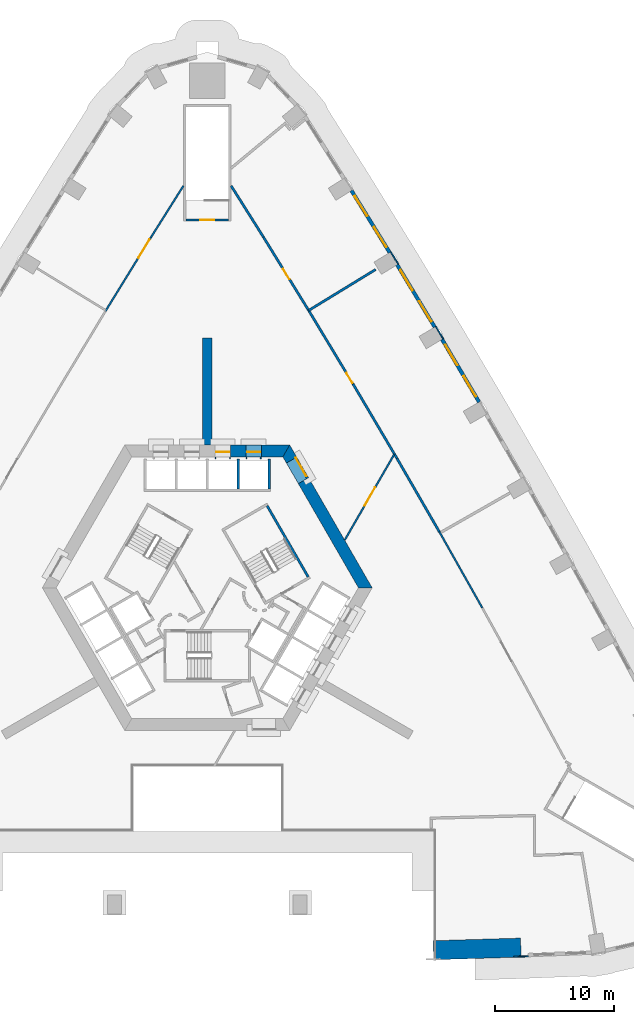
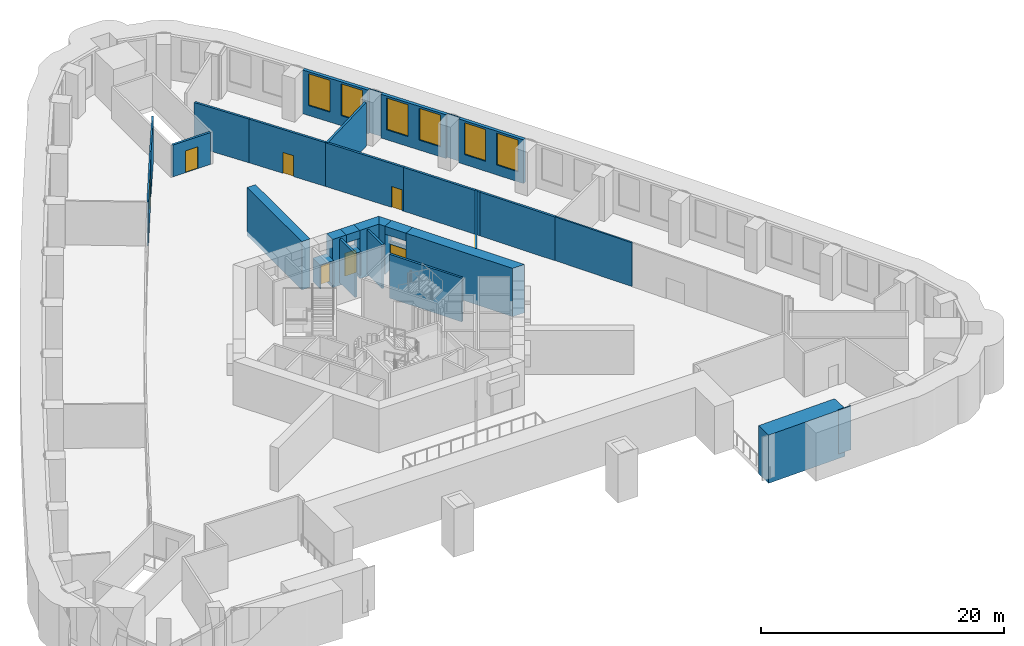
# One storey, part 6 of 15: 31 walls, 8 doors, 6 windows, 14 openings.
"""IFC4 building model written with IfcOpenShell, lengths in metres."""

import ifcopenshell
import ifcopenshell.guid

model = None  # the IFC model being written
_history = None  # IfcOwnerHistory: only IFC2X3 demands one
_inside = {}  # id of a spatial element -> (the spatial element, [elements in it])
_under = {}  # id of a project, library or spatial element -> (it, [spatial elements below it])
_declared = {}  # id of a project -> (the project, [libraries it declares])
_typed = {}  # id of a type object -> (the type object, [elements of that type])
_made_of = {}  # id of a material, layer set ... -> (it, [elements and type objects made of it])


def new_model(schema):
    """Start an empty IFC model of exactly this schema.

    Asked for "IFC4X3", IfcOpenShell would pick the latest addendum, in which some entities
    have other attributes; the version numbers below select the first issue.
    IFC2X3 requires an IfcOwnerHistory on every rooted entity: one is made here for all.
    """
    global model, _history
    if schema == "IFC4X3":
        model = ifcopenshell.file(schema_version=(4, 3, 0, 0))
    else:
        model = ifcopenshell.file(schema=schema)
    _inside.clear()
    _under.clear()
    _declared.clear()
    _typed.clear()
    _made_of.clear()
    _history = None
    if model.schema == "IFC2X3":
        org = make("IfcOrganization", Name="unknown")
        user = make(
            "IfcPersonAndOrganization",
            ThePerson=make("IfcPerson", FamilyName="unknown"),
            TheOrganization=org,
        )
        app = make(
            "IfcApplication",
            ApplicationDeveloper=org,
            Version="unknown",
            ApplicationFullName="unknown",
            ApplicationIdentifier="unknown",
        )
        _history = make(
            "IfcOwnerHistory",
            OwningUser=user,
            OwningApplication=app,
            ChangeAction="ADDED",
            CreationDate=0,
        )
    return model


def make(cls, **values):
    """One entity of the class cls with the attributes given. An attribute that is None is left unset."""
    return model.create_entity(
        cls, **{name: value for name, value in values.items() if value is not None}
    )


def rooted(cls, **values):
    """An entity with a GlobalId (a new one), such as an element, a storey or a relation."""
    return make(cls, GlobalId=ifcopenshell.guid.new(), OwnerHistory=_history, **values)


def si_unit(unit_type, name, prefix=None):
    """IfcSIUnit, for example si_unit("LENGTHUNIT", "METRE", prefix="MILLI")."""
    return make("IfcSIUnit", UnitType=unit_type, Prefix=prefix, Name=name)


def assignment(units):
    """IfcUnitAssignment: the units of a project."""
    return None if units is None else make("IfcUnitAssignment", Units=units)


def point(xyz):
    """IfcCartesianPoint."""
    return None if xyz is None else make("IfcCartesianPoint", Coordinates=xyz)


def direction(xyz):
    """IfcDirection."""
    return None if xyz is None else make("IfcDirection", DirectionRatios=xyz)


def frame(location, z_axis=None, x_axis=None):
    """IfcAxis2Placement3D, a coordinate frame: its origin and axes. An axis left out is left unset."""
    return make(
        "IfcAxis2Placement3D",
        Location=point(location),
        Axis=direction(z_axis),
        RefDirection=direction(x_axis),
    )


def frame_2d(location, x_axis=None):
    """IfcAxis2Placement2D, a coordinate frame in the plane: its origin and x axis."""
    return make(
        "IfcAxis2Placement2D", Location=point(location), RefDirection=direction(x_axis)
    )


def origin():
    """The frame at (0, 0, 0) with its axes left unset."""
    return frame((0.0, 0.0, 0.0))


def place(relative_to, where):
    """IfcLocalPlacement: puts the frame where relative to a parent placement (None: the world)."""
    return make(
        "IfcLocalPlacement", PlacementRelTo=relative_to, RelativePlacement=where
    )


def context(
    kind, dimensions, precision=None, world=None, true_north=None, identifier=None
):
    """IfcGeometricRepresentationContext, for example the 3D "Model" context."""
    return make(
        "IfcGeometricRepresentationContext",
        ContextIdentifier=identifier,
        ContextType=kind,
        CoordinateSpaceDimension=dimensions,
        Precision=precision,
        WorldCoordinateSystem=world,
        TrueNorth=true_north,
    )


def subcontext(parent, identifier, kind, view, scale=None):
    """IfcGeometricRepresentationSubContext, for example "Body" below "Model"."""
    return make(
        "IfcGeometricRepresentationSubContext",
        ContextIdentifier=identifier,
        ContextType=kind,
        ParentContext=parent,
        TargetScale=scale,
        TargetView=view,
    )


def project(units=None, contexts=None):
    """IfcProject with its units and contexts."""
    return rooted(
        "IfcProject",
        Name="project",
        RepresentationContexts=contexts,
        UnitsInContext=assignment(units),
    )


def spatial(cls, under=None, at=None, **own):
    """A site, building, storey or space (cls), placed at a placement, below another one or the project."""
    s = rooted(cls, ObjectPlacement=at, **own)
    if under is not None:
        _under.setdefault(under.id(), (under, []))[1].append(s)
    return s


def polyline(points):
    """IfcPolyline through the points."""
    return make("IfcPolyline", Points=[point(p) for p in points])


def profile(cls, at=None, kind="AREA", **sizes):
    """A parametric profile (cls). Its sizes go by their IFC names, for example OverallWidth=200.0."""
    return make(cls, ProfileType=kind, Position=at, **sizes)


def rectangle(**sizes):
    """IfcRectangleProfileDef."""
    return profile("IfcRectangleProfileDef", **sizes)


def outline(outer, holes=None, kind="AREA"):
    """IfcArbitraryClosedProfileDef: a profile drawn as a closed curve; with holes, ...WithVoids."""
    if holes is None:
        return make("IfcArbitraryClosedProfileDef", ProfileType=kind, OuterCurve=outer)
    return make(
        "IfcArbitraryProfileDefWithVoids",
        ProfileType=kind,
        OuterCurve=outer,
        InnerCurves=holes,
    )


def extrude(swept, where, along, depth):
    """IfcExtrudedAreaSolid: the profile swept, set in the frame where, extruded along a direction by depth."""
    return make(
        "IfcExtrudedAreaSolid",
        SweptArea=swept,
        Position=where,
        ExtrudedDirection=direction(along),
        Depth=depth,
    )


def shape(context_of_items, identifier, shape_type, items):
    """IfcShapeRepresentation: the items that make up one representation, for example the "Body"."""
    return make(
        "IfcShapeRepresentation",
        ContextOfItems=context_of_items,
        RepresentationIdentifier=identifier,
        RepresentationType=shape_type,
        Items=items,
    )


def material(Name=None, Category=None):
    """IfcMaterial."""
    return make("IfcMaterial", Name=Name, Category=Category)


def layer(
    of_material, thickness, ventilated=None, Name=None, Category=None, Priority=None
):
    """IfcMaterialLayer: one layer of a wall or slab, of a material (None: an air gap)."""
    return make(
        "IfcMaterialLayer",
        Material=of_material,
        LayerThickness=thickness,
        IsVentilated=ventilated,
        Name=Name,
        Category=Category,
        Priority=Priority,
    )


def layer_set(layers, Name=None):
    """IfcMaterialLayerSet."""
    return make("IfcMaterialLayerSet", MaterialLayers=layers, LayerSetName=Name)


def made_of(thing, what):
    """Note that an element or type object is made of a material, layer set ...; save() writes the relation."""
    if what is not None:
        _made_of.setdefault(what.id(), (what, []))[1].append(thing)
    return thing


def type_object(cls, material=None, **own):
    """A type object (cls), such as IfcWallType, which elements share."""
    return made_of(rooted(cls, **own), material)


def element(
    cls,
    number,
    at=None,
    inside=None,
    cuts=None,
    type_object=None,
    material=None,
    context=None,
    identifier="Body",
    shape_type=None,
    held_by="IfcProductDefinitionShape",
    body=None,
    shapes=None,
    **own,
):
    """One element of the class cls, such as IfcWall. Its Tag is "e" and its number.

    at: its placement. inside: the storey or other place that contains it. cuts: it is an
    opening in that element (IfcRelVoidsElement). A single representation is given by context,
    identifier, shape_type and body (its items); several are given by shapes. held_by: the class
    of the entity that holds the representations. save() writes the other relations.
    """
    e = rooted(cls, Tag="e%d" % number, ObjectPlacement=at, **own)
    if body is not None:
        shapes = [shape(context, identifier, shape_type, body)]
    if shapes is not None:
        e.Representation = make(held_by, Representations=shapes)
    if inside is not None:
        _inside.setdefault(inside.id(), (inside, []))[1].append(e)
    if cuts is not None:
        rooted(
            "IfcRelVoidsElement", RelatingBuildingElement=cuts, RelatedOpeningElement=e
        )
    if type_object is not None:
        _typed.setdefault(type_object.id(), (type_object, []))[1].append(e)
    return made_of(e, material)


def fill(opening, filler):
    """IfcRelFillsElement: the door or window that sits in an opening."""
    return rooted(
        "IfcRelFillsElement",
        RelatingOpeningElement=opening,
        RelatedBuildingElement=filler,
    )


def aggregate(whole, parts):
    """IfcRelAggregates: a whole, such as a stair, and the parts it consists of."""
    return rooted("IfcRelAggregates", RelatingObject=whole, RelatedObjects=parts)


def save(model, path):
    """Write the relations noted so far, then the file.

    IfcRelAggregates (storeys below a building ...), IfcRelContainedInSpatialStructure (elements
    in a storey), IfcRelDefinesByType, IfcRelAssociatesMaterial and IfcRelDeclares: one each for
    every whole, place, type object, material and project.
    """
    for whole, parts in _under.values():
        aggregate(whole, parts)
    for where, things in _inside.values():
        rooted(
            "IfcRelContainedInSpatialStructure",
            RelatedElements=things,
            RelatingStructure=where,
        )
    for kind, things in _typed.values():
        rooted("IfcRelDefinesByType", RelatedObjects=things, RelatingType=kind)
    for what, things in _made_of.values():
        rooted("IfcRelAssociatesMaterial", RelatedObjects=things, RelatingMaterial=what)
    for by, libraries in _declared.values():
        rooted("IfcRelDeclares", RelatingContext=by, RelatedDefinitions=libraries)
    model.write(path)


model = new_model("IFC4")

# Units and contexts
model_context = context("Model", 3, precision=1e-05, world=origin(), true_north=direction((0.0, 1.0)))
body_context = subcontext(model_context, "Body", "Model", "MODEL_VIEW")
ifc_project = project(units=[si_unit("LENGTHUNIT", "METRE"), si_unit("AREAUNIT", "SQUARE_METRE"), si_unit("VOLUMEUNIT", "CUBIC_METRE"), si_unit("PLANEANGLEUNIT", "RADIAN"), si_unit("MASSUNIT", "GRAM", prefix="KILO")], contexts=[model_context])

# Site, building, storey
site_placement = place(None, origin())
site = spatial("IfcSite", under=ifc_project, at=site_placement, CompositionType="ELEMENT")
building_placement = place(site_placement, origin())
building = spatial("IfcBuilding", under=site, at=building_placement, Name="Entoto Arch Interchange Tower", CompositionType="ELEMENT")
storey_placement = place(building_placement, frame((0.0, 0.0, 30.0)))
storey = spatial("IfcBuildingStorey", under=building, at=storey_placement, Name="L05", CompositionType="ELEMENT", Elevation=30.0)

# Walls
ifc_material_1 = material(Name="Concrete C60/75", Category="concrete")
ifc_layer_1 = layer(ifc_material_1, 1.60009765625)
ifc_layer_set_1 = layer_set([ifc_layer_1], Name="Concrete C60/75")
wall_type_1 = type_object("IfcWallType", Name="Arch leg wall 1600 C60/75", PredefinedType="SHEAR", material=ifc_layer_set_1)
wall_1_placement = place(storey_placement, frame((0.0, 0.0, -0.449951171875)))
element("IfcWall", 1, at=wall_1_placement, inside=storey, type_object=wall_type_1, Name="Arch leg E L05", PredefinedType="SHEAR", context=body_context, shape_type="SweptSolid", body=[
    extrude(outline(polyline([(19.0, -28.761962890625), (26.376953125, -28.5400390625), (26.321044921875, -26.94091796875), (18.97607421875, -27.162109375), (19.0, -28.761962890625)])), origin(), (0.0, 0.0, 1.0), 4.849853515625),
])
ifc_layer_2 = layer(ifc_material_1, 0.800048828125)
ifc_layer_set_2 = layer_set([ifc_layer_2], Name="Concrete C60/75")
wall_type_2 = type_object("IfcWallType", Name="Buttress wall 800 C60/75", PredefinedType="SHEAR", material=ifc_layer_set_2)
wall_2_placement = place(storey_placement, frame((0.0, 14.5, -0.449951171875), z_axis=(0.0, 0.0, 1.0), x_axis=(0.0, 1.0, 0.0)))
element("IfcWall", 2, at=wall_2_placement, inside=storey, type_object=wall_type_2, Name="Buttress wall N L05", PredefinedType="SHEAR", context=body_context, shape_type="SweptSolid", body=[
    extrude(rectangle(XDim=9.0, YDim=0.800048828125, at=frame_2d((4.5, 0.0))), origin(), (0.0, 0.0, 1.0), 4.849853515625),
])

# Wall, opening, door
ifc_material_2 = material(Name="Reinforced concrete C40/50", Category="concrete")
ifc_layer_3 = layer(ifc_material_2, 0.199951171875)
ifc_layer_set_3 = layer_set([ifc_layer_3], Name="Reinforced concrete C40/50")
wall_type_3 = type_object("IfcWallType", Name="CORE GAP INFILL WALL", PredefinedType="PARTITIONING", material=ifc_layer_set_3)
wall_3_placement = place(storey_placement, frame((8.429931640625, 11.697998046875, 0.0), z_axis=(0.0, 0.0, 1.0), x_axis=(-0.50002537861, 0.866010750942, 0.0)))
wall_3 = element("IfcWall", 3, at=wall_3_placement, inside=storey, type_object=wall_type_3, Name="wall:L05:gap2", PredefinedType="PARTITIONING", context=body_context, shape_type="SweptSolid", body=[
    extrude(rectangle(XDim=2.0, YDim=0.199951171875, at=frame_2d((1.0, 0.0))), origin(), (0.0, 0.0, 1.0), 2.39990234375),
])
opening_1_placement = place(wall_3_placement, frame((0.18994140625, 0.0, 0.0)))
opening_1 = element("IfcOpeningElement", 4, at=opening_1_placement, cuts=wall_3, Name="Opening L05-D92", PredefinedType="OPENING", context=body_context, shape_type="SweptSolid", body=[
    extrude(rectangle(XDim=1.800048828125, YDim=2.10009765625, at=frame_2d((0.89990234375, 1.050048828125))), frame((0.0, 0.10986328125, 0.0), z_axis=(0.0, -1.0, 0.0), x_axis=(1.0, 0.0, 0.0)), (0.0, 0.0, 1.0), 0.219970703125),
])
ifc_material_3 = material(Name="Fire-rated Steel S235 door and frame", Category="steel")
door_type_1 = type_object("IfcDoorType", Name="DOOR FD-18 1800x2100", OperationType="DOUBLE_DOOR_SINGLE_SWING", PredefinedType="DOOR", material=ifc_material_3)
door_1_placement = place(opening_1_placement, origin())
door_1 = element("IfcDoor", 5, at=door_1_placement, inside=storey, type_object=door_type_1, Name="door:L05:gap2", OperationType="DOUBLE_DOOR_SINGLE_SWING", OverallHeight=2.10009765625, OverallWidth=1.800048828125, PredefinedType="DOOR", context=body_context, shape_type="SweptSolid", body=[
    extrude(rectangle(XDim=1.800048828125, YDim=2.10009765625, at=frame_2d((0.89990234375, 1.050048828125))), frame((0.0, 0.02490234375, 0.0), z_axis=(0.0, -1.0, 0.0), x_axis=(1.0, 0.0, 0.0)), (0.0, 0.0, 1.0), 0.050048828125),
])
fill(opening_1, door_1)

# Walls
ifc_layer_4 = layer(ifc_material_1, 1.0)
ifc_layer_set_4 = layer_set([ifc_layer_4], Name="Concrete C60/75")
wall_type_4 = type_object("IfcWallType", Name="Core wall 1000 C60/75", PredefinedType="SHEAR", material=ifc_layer_set_4)
wall_4_placement = place(storey_placement, frame((0.0, 0.0, -0.449951171875)))
element("IfcWall", 6, at=wall_4_placement, inside=storey, type_object=wall_type_4, Name="Core wall NE L05", PredefinedType="SHEAR", context=body_context, shape_type="SweptSolid", body=[
    extrude(outline(polyline([(8.51708984375, 11.748046875), (7.65087890625, 11.248046875), (12.701904296875, 2.5), (13.85595703125, 2.5), (8.51708984375, 11.748046875)])), origin(), (0.0, 0.0, 1.0), 4.849853515625),
])
wall_5_placement = place(storey_placement, frame((0.0, 0.0, -0.449951171875)))
element("IfcWall", 7, at=wall_5_placement, inside=storey, type_object=wall_type_4, Name="Core wall NE L05", PredefinedType="SHEAR", context=body_context, shape_type="SweptSolid", body=[
    extrude(outline(polyline([(6.65087890625, 12.97998046875), (7.51708984375, 13.47998046875), (6.927978515625, 14.5), (6.35107421875, 13.5), (6.65087890625, 12.97998046875)])), origin(), (0.0, 0.0, 1.0), 4.849853515625),
])
wall_6_placement = place(storey_placement, frame((0.0, 0.0, 3.60009765625)))
element("IfcWall", 8, at=wall_6_placement, inside=storey, type_object=wall_type_4, Name="Core wall lintel NE L05", PredefinedType="SHEAR", context=body_context, shape_type="SweptSolid", body=[
    extrude(outline(polyline([(7.51708984375, 13.47998046875), (6.65087890625, 12.97998046875), (7.65087890625, 11.248046875), (8.51708984375, 11.748046875), (7.51708984375, 13.47998046875)])), origin(), (0.0, 0.0, 1.0), 0.7998046875),
])
wall_7_placement = place(storey_placement, frame((0.0, 0.0, -0.449951171875)))
element("IfcWall", 9, at=wall_7_placement, inside=storey, type_object=wall_type_4, Name="Core wall N L05", PredefinedType="SHEAR", context=body_context, shape_type="SweptSolid", body=[
    extrude(outline(polyline([(4.550048828125, 14.5), (4.550048828125, 13.5), (6.35107421875, 13.5), (6.927978515625, 14.5), (4.550048828125, 14.5)])), origin(), (0.0, 0.0, 1.0), 4.849853515625),
])
wall_8_placement = place(storey_placement, frame((0.0, 0.0, -0.449951171875)))
element("IfcWall", 10, at=wall_8_placement, inside=storey, type_object=wall_type_4, Name="Core wall N L05", PredefinedType="SHEAR", context=body_context, shape_type="SweptSolid", body=[
    extrude(outline(polyline([(1.949951171875, 14.5), (1.949951171875, 13.5), (3.25, 13.5), (3.25, 14.5), (1.949951171875, 14.5)])), origin(), (0.0, 0.0, 1.0), 4.849853515625),
])
wall_9_placement = place(storey_placement, frame((0.0, 0.0, 3.60009765625)))
element("IfcWall", 11, at=wall_9_placement, inside=storey, type_object=wall_type_4, Name="Core wall lintel N L05", PredefinedType="SHEAR", context=body_context, shape_type="SweptSolid", body=[
    extrude(outline(polyline([(3.25, 14.5), (3.25, 13.5), (4.550048828125, 13.5), (4.550048828125, 14.5), (3.25, 14.5)])), origin(), (0.0, 0.0, 1.0), 0.7998046875),
])

# Wall, opening, door
ifc_material_4 = material(Name="Concrete C40/50", Category="concrete")
ifc_layer_5 = layer(ifc_material_4, 1.199951171875)
ifc_layer_set_5 = layer_set([ifc_layer_5], Name="Concrete C40/50")
wall_type_5 = type_object("IfcWallType", Name="LIFT LANDING INFILL WALL", PredefinedType="STANDARD", material=ifc_layer_set_5)
wall_10_placement = place(storey_placement, frame((4.550048828125, 13.89990234375, 0.0), z_axis=(0.0, 0.0, 1.0), x_axis=(-1.0, 0.0, 0.0)))
wall_10 = element("IfcWall", 12, at=wall_10_placement, inside=storey, type_object=wall_type_5, Name="Lift landing infill wall LR1 L05", PredefinedType="STANDARD", context=body_context, shape_type="SweptSolid", body=[
    extrude(rectangle(XDim=1.300048828125, YDim=1.199951171875, at=frame_2d((0.64990234375, 0.0))), origin(), (0.0, 0.0, 1.0), 2.39990234375),
])
opening_2_placement = place(wall_10_placement, frame((0.10009765625, 0.0, 0.0)))
opening_2 = element("IfcOpeningElement", 13, at=opening_2_placement, cuts=wall_10, Name="Opening LD-LR1-L05", PredefinedType="OPENING", context=body_context, shape_type="SweptSolid", body=[
    extrude(rectangle(XDim=1.10009765625, YDim=2.300048828125, at=frame_2d((0.550048828125, 1.14990234375))), frame((0.0, 0.60986328125, 0.0), z_axis=(0.0, -1.0, 0.0), x_axis=(1.0, 0.0, 0.0)), (0.0, 0.0, 1.0), 1.219970703125),
])
ifc_material_5 = material(Name="Stainless steel 1.4301 panels", Category="steel")
door_type_2 = type_object("IfcDoorType", Name="LIFT LANDING DOOR LD2 1100x2300", OperationType="SLIDING_TO_LEFT", PredefinedType="DOOR", material=ifc_material_5)
door_2_placement = place(opening_2_placement, origin())
door_2 = element("IfcDoor", 14, at=door_2_placement, inside=storey, type_object=door_type_2, Name="Lift landing door LR1 L05", OperationType="SLIDING_TO_LEFT", OverallHeight=2.300048828125, OverallWidth=1.10009765625, PredefinedType="DOOR", context=body_context, shape_type="SweptSolid", body=[
    extrude(rectangle(XDim=1.10009765625, YDim=2.300048828125, at=frame_2d((0.550048828125, 1.14990234375))), frame((0.0, 0.02490234375, 0.0), z_axis=(0.0, -1.0, 0.0), x_axis=(1.0, 0.0, 0.0)), (0.0, 0.0, 1.0), 0.050048828125),
])
fill(opening_2, door_2)

wall_11_placement = place(storey_placement, frame((1.949951171875, 13.89990234375, 0.0), z_axis=(0.0, 0.0, 1.0), x_axis=(-1.0, 0.0, 0.0)))
wall_11 = element("IfcWall", 15, at=wall_11_placement, inside=storey, type_object=wall_type_5, Name="Lift landing infill wall LR2 L05", PredefinedType="STANDARD", context=body_context, shape_type="SweptSolid", body=[
    extrude(rectangle(XDim=1.300048828125, YDim=1.199951171875, at=frame_2d((0.64990234375, 0.0))), origin(), (0.0, 0.0, 1.0), 2.39990234375),
])
opening_3_placement = place(wall_11_placement, frame((0.10009765625, 0.0, 0.0)))
opening_3 = element("IfcOpeningElement", 16, at=opening_3_placement, cuts=wall_11, Name="Opening LD-LR2-L05", PredefinedType="OPENING", context=body_context, shape_type="SweptSolid", body=[
    extrude(rectangle(XDim=1.10009765625, YDim=2.300048828125, at=frame_2d((0.550048828125, 1.14990234375))), frame((0.0, 0.60986328125, 0.0), z_axis=(0.0, -1.0, 0.0), x_axis=(1.0, 0.0, 0.0)), (0.0, 0.0, 1.0), 1.219970703125),
])
door_3_placement = place(opening_3_placement, origin())
door_3 = element("IfcDoor", 17, at=door_3_placement, inside=storey, type_object=door_type_2, Name="Lift landing door LR2 L05", OperationType="SLIDING_TO_LEFT", OverallHeight=2.300048828125, OverallWidth=1.10009765625, PredefinedType="DOOR", context=body_context, shape_type="SweptSolid", body=[
    extrude(rectangle(XDim=1.10009765625, YDim=2.300048828125, at=frame_2d((0.550048828125, 1.14990234375))), frame((0.0, 0.02490234375, 0.0), z_axis=(0.0, -1.0, 0.0), x_axis=(1.0, 0.0, 0.0)), (0.0, 0.0, 1.0), 0.050048828125),
])
fill(opening_3, door_3)

# Walls
ifc_layer_6 = layer(ifc_material_4, 0.199951171875)
ifc_layer_set_6 = layer_set([ifc_layer_6], Name="Concrete C40/50")
wall_type_6 = type_object("IfcWallType", Name="LIFT SHAFT WALL 200", PredefinedType="STANDARD", material=ifc_layer_set_6)
for number, where, z_axis, x_axis, name in (
    (18, (5.199951171875, 10.800048828125, 0.0), (0.0, 0.0, 1.0), (0.0, 1.0, 0.0), "Shaft wall N3 cross 1"),
    (19, (2.60009765625, 10.800048828125, 0.0), (0.0, 0.0, 1.0), (0.0, 1.0, 0.0), "Shaft wall N3 cross 2"),
):
    element("IfcWall", number, at=place(storey_placement, frame(where, z_axis=z_axis, x_axis=x_axis)), inside=storey, type_object=wall_type_6, Name=name, PredefinedType="STANDARD", context=body_context, shape_type="SweptSolid", body=[
        extrude(rectangle(XDim=2.5, YDim=0.199951171875, at=frame_2d((1.25, 0.0))), origin(), (0.0, 0.0, 1.0), 4.39990234375),
    ])
ifc_material_6 = material(Name="Gypsum board partition on steel studs", Category="steel")
ifc_layer_7 = layer(ifc_material_6, 0.14990234375)
ifc_layer_set_7 = layer_set([ifc_layer_7], Name="Gypsum board partition on steel studs")
wall_type_7 = type_object("IfcWallType", Name="PARTITION 150", PredefinedType="PARTITIONING", material=ifc_layer_set_7)
wall_12_placement = place(storey_placement, frame((23.114013671875, 0.806884765625, 0.0), z_axis=(0.0, 0.0, 1.0), x_axis=(-0.491539851918, 0.870855082075, 0.0)))
element("IfcWall", 20, at=wall_12_placement, inside=storey, type_object=wall_type_7, Name="wall:L05:p048", PredefinedType="PARTITIONING", context=body_context, shape_type="SweptSolid", body=[
    extrude(rectangle(XDim=7.340087890625, YDim=0.14990234375, at=frame_2d((3.669921875, 0.0))), origin(), (0.0, 0.0, 1.0), 4.39990234375),
])
wall_13_placement = place(storey_placement, frame((-2.0, 36.282958984375, 0.0), z_axis=(0.0, 0.0, 1.0), x_axis=(-0.533277069601, -0.845940640375, 0.0)))
element("IfcWall", 21, at=wall_13_placement, inside=storey, type_object=wall_type_7, Name="wall:L05:p059", PredefinedType="PARTITIONING", context=body_context, shape_type="SweptSolid", body=[
    extrude(rectangle(XDim=5.094970703125, YDim=0.14990234375, at=frame_2d((2.54736328125, 0.0))), origin(), (0.0, 0.0, 1.0), 4.39990234375),
])

# Wall, opening, door
wall_14_placement = place(storey_placement, frame((-4.717041015625, 31.972900390625, 0.0), z_axis=(0.0, 0.0, 1.0), x_axis=(-0.524752860455, -0.85125462433, 0.0)))
wall_14 = element("IfcWall", 22, at=wall_14_placement, inside=storey, type_object=wall_type_7, Name="wall:L05:p060", PredefinedType="PARTITIONING", context=body_context, shape_type="SweptSolid", body=[
    extrude(rectangle(XDim=7.313720703125, YDim=0.14990234375, at=frame_2d((3.65673828125, 0.0))), origin(), (0.0, 0.0, 1.0), 4.39990234375),
])
opening_4_placement = place(wall_14_placement, frame((0.2548828125, 0.0, 0.0)))
opening_4 = element("IfcOpeningElement", 23, at=opening_4_placement, cuts=wall_14, Name="Opening L05-D07", PredefinedType="OPENING", context=body_context, shape_type="SweptSolid", body=[
    extrude(rectangle(XDim=1.800048828125, YDim=2.10009765625, at=frame_2d((0.89990234375, 1.050048828125))), frame((0.0, 0.0849609375, 0.0), z_axis=(0.0, -1.0, 0.0), x_axis=(1.0, 0.0, 0.0)), (0.0, 0.0, 1.0), 0.169921875),
])
ifc_material_7 = material(Name="Timber door leaf in Steel S235 frame", Category="steel")
door_type_3 = type_object("IfcDoorType", Name="DOOR DD-18 1800x2100", OperationType="DOUBLE_DOOR_SINGLE_SWING", PredefinedType="DOOR", material=ifc_material_7)
door_4_placement = place(opening_4_placement, origin())
door_4 = element("IfcDoor", 24, at=door_4_placement, inside=storey, type_object=door_type_3, Name="door:L05:07", OperationType="DOUBLE_DOOR_SINGLE_SWING", OverallHeight=2.10009765625, OverallWidth=1.800048828125, PredefinedType="DOOR", context=body_context, shape_type="SweptSolid", body=[
    extrude(rectangle(XDim=1.800048828125, YDim=2.10009765625, at=frame_2d((0.89990234375, 1.050048828125))), frame((0.0, 0.02490234375, 0.0), z_axis=(0.0, -1.0, 0.0), x_axis=(1.0, 0.0, 0.0)), (0.0, 0.0, 1.0), 0.050048828125),
])
fill(opening_4, door_4)

wall_15_placement = place(storey_placement, frame((11.547119140625, 6.5, 0.0), z_axis=(0.0, 0.0, 1.0), x_axis=(0.500020059357, 0.866013822199, 0.0)))
wall_15 = element("IfcWall", 25, at=wall_15_placement, inside=storey, type_object=wall_type_7, Name="wall:L05:p072", PredefinedType="PARTITIONING", context=body_context, shape_type="SweptSolid", body=[
    extrude(rectangle(XDim=8.355712890625, YDim=0.14990234375, at=frame_2d((4.177734375, 0.0))), origin(), (0.0, 0.0, 1.0), 4.39990234375),
])
opening_5_placement = place(wall_15_placement, frame((3.330078125, 0.0, 0.0)))
opening_5 = element("IfcOpeningElement", 26, at=opening_5_placement, cuts=wall_15, Name="Opening L05-D01", PredefinedType="OPENING", context=body_context, shape_type="SweptSolid", body=[
    extrude(rectangle(XDim=1.800048828125, YDim=2.10009765625, at=frame_2d((0.89990234375, 1.050048828125))), frame((0.0, 0.0849609375, 0.0), z_axis=(0.0, -1.0, 0.0), x_axis=(1.0, 0.0, 0.0)), (0.0, 0.0, 1.0), 0.169921875),
])
door_5_placement = place(opening_5_placement, origin())
door_5 = element("IfcDoor", 27, at=door_5_placement, inside=storey, type_object=door_type_1, Name="door:L05:01", OperationType="DOUBLE_DOOR_SINGLE_SWING", OverallHeight=2.10009765625, OverallWidth=1.800048828125, PredefinedType="DOOR", context=body_context, shape_type="SweptSolid", body=[
    extrude(rectangle(XDim=1.800048828125, YDim=2.10009765625, at=frame_2d((0.89990234375, 1.050048828125))), frame((0.0, 0.02490234375, 0.0), z_axis=(0.0, -1.0, 0.0), x_axis=(1.0, 0.0, 0.0)), (0.0, 0.0, 1.0), 0.050048828125),
])
fill(opening_5, door_5)

# Walls
ifc_layer_8 = layer(ifc_material_6, 0.199951171875)
ifc_layer_set_8 = layer_set([ifc_layer_8], Name="Gypsum board partition on steel studs")
wall_type_8 = type_object("IfcWallType", Name="PARTITION 200", PredefinedType="PARTITIONING", material=ifc_layer_set_8)
wall_16_placement = place(storey_placement, frame((8.52001953125, 25.803955078125, 0.0), z_axis=(0.0, 0.0, 1.0), x_axis=(0.853194970622, 0.521592122358, 0.0)))
element("IfcWall", 28, at=wall_16_placement, inside=storey, type_object=wall_type_8, Name="wall:L05:p049", PredefinedType="PARTITIONING", context=body_context, shape_type="SweptSolid", body=[
    extrude(rectangle(XDim=6.60107421875, YDim=0.199951171875, at=frame_2d((3.300537109375, 0.0))), origin(), (0.0, 0.0, 1.0), 4.39990234375),
])
wall_17_placement = place(storey_placement, frame((19.5048828125, 7.197998046875, 0.0), z_axis=(0.0, 0.0, 1.0), x_axis=(-0.500031381659, 0.866007284817, 0.0)))
element("IfcWall", 29, at=wall_17_placement, inside=storey, type_object=wall_type_8, Name="wall:L05:p050", PredefinedType="PARTITIONING", context=body_context, shape_type="SweptSolid", body=[
    extrude(rectangle(XDim=7.13720703125, YDim=0.199951171875, at=frame_2d((3.568603515625, 0.0))), origin(), (0.0, 0.0, 1.0), 4.39990234375),
])
wall_18_placement = place(storey_placement, frame((15.93603515625, 13.37890625, 0.0), z_axis=(0.0, 0.0, 1.0), x_axis=(-0.508273674393, 0.861195606073, 0.0)))
element("IfcWall", 30, at=wall_18_placement, inside=storey, type_object=wall_type_8, Name="wall:L05:p051", PredefinedType="PARTITIONING", context=body_context, shape_type="SweptSolid", body=[
    extrude(rectangle(XDim=7.239990234375, YDim=0.199951171875, at=frame_2d((3.6201171875, 0.0))), origin(), (0.0, 0.0, 1.0), 4.39990234375),
])

# Wall, opening, door
wall_19_placement = place(storey_placement, frame((12.256103515625, 19.614013671875, 0.0), z_axis=(0.0, 0.0, 1.0), x_axis=(-0.516756729015, 0.856132281261, 0.0)))
wall_19 = element("IfcWall", 31, at=wall_19_placement, inside=storey, type_object=wall_type_8, Name="wall:L05:p052", PredefinedType="PARTITIONING", context=body_context, shape_type="SweptSolid", body=[
    extrude(rectangle(XDim=7.33056640625, YDim=0.199951171875, at=frame_2d((3.665283203125, 0.0))), origin(), (0.0, 0.0, 1.0), 4.39990234375),
])
opening_6_placement = place(wall_19_placement, frame((0.10009765625, 0.0, 0.0)))
opening_6 = element("IfcOpeningElement", 32, at=opening_6_placement, cuts=wall_19, Name="Opening L05-D05", PredefinedType="OPENING", context=body_context, shape_type="SweptSolid", body=[
    extrude(rectangle(XDim=1.0, YDim=2.10009765625, at=frame_2d((0.5, 1.050048828125))), frame((0.0, 0.10986328125, 0.0), z_axis=(0.0, -1.0, 0.0), x_axis=(1.0, 0.0, 0.0)), (0.0, 0.0, 1.0), 0.219970703125),
])
door_type_4 = type_object("IfcDoorType", Name="DOOR FD-10 1000x2100", OperationType="SINGLE_SWING_LEFT", PredefinedType="DOOR", material=ifc_material_3)
door_6_placement = place(opening_6_placement, origin())
door_6 = element("IfcDoor", 33, at=door_6_placement, inside=storey, type_object=door_type_4, Name="door:L05:05", OperationType="SINGLE_SWING_RIGHT", OverallHeight=2.10009765625, OverallWidth=1.0, PredefinedType="DOOR", context=body_context, shape_type="SweptSolid", body=[
    extrude(rectangle(XDim=1.0, YDim=2.10009765625, at=frame_2d((0.5, 1.050048828125))), frame((0.0, 0.02490234375, 0.0), z_axis=(0.0, -1.0, 0.0), x_axis=(1.0, 0.0, 0.0)), (0.0, 0.0, 1.0), 0.050048828125),
])
fill(opening_6, door_6)

# Wall
wall_20_placement = place(storey_placement, frame((4.717041015625, 31.972900390625, 0.0), z_axis=(0.0, 0.0, 1.0), x_axis=(-0.533277069601, 0.845940640375, 0.0)))
element("IfcWall", 34, at=wall_20_placement, inside=storey, type_object=wall_type_8, Name="wall:L05:p056", PredefinedType="PARTITIONING", context=body_context, shape_type="SweptSolid", body=[
    extrude(rectangle(XDim=5.094970703125, YDim=0.199951171875, at=frame_2d((2.54736328125, 0.0))), origin(), (0.0, 0.0, 1.0), 4.39990234375),
])

# Wall, opening, door
wall_21_placement = place(storey_placement, frame((8.467041015625, 25.889892578125, 0.0), z_axis=(0.0, 0.0, 1.0), x_axis=(-0.524768238136, 0.851245144623, 0.0)))
wall_21 = element("IfcWall", 35, at=wall_21_placement, inside=storey, type_object=wall_type_8, Name="wall:L05:p057", PredefinedType="PARTITIONING", context=body_context, shape_type="SweptSolid", body=[
    extrude(rectangle(XDim=7.14599609375, YDim=0.199951171875, at=frame_2d((3.572998046875, 0.0))), origin(), (0.0, 0.0, 1.0), 4.39990234375),
])
opening_7_placement = place(wall_21_placement, frame((2.98095703125, 0.0, 0.0)))
opening_7 = element("IfcOpeningElement", 36, at=opening_7_placement, cuts=wall_21, Name="Opening L05-D06", PredefinedType="OPENING", context=body_context, shape_type="SweptSolid", body=[
    extrude(rectangle(XDim=1.0, YDim=2.10009765625, at=frame_2d((0.5, 1.050048828125))), frame((0.0, 0.10986328125, 0.0), z_axis=(0.0, -1.0, 0.0), x_axis=(1.0, 0.0, 0.0)), (0.0, 0.0, 1.0), 0.219970703125),
])
door_type_5 = type_object("IfcDoorType", Name="DOOR DS-10 1000x2100", OperationType="SINGLE_SWING_LEFT", PredefinedType="DOOR", material=ifc_material_7)
door_7_placement = place(opening_7_placement, origin())
door_7 = element("IfcDoor", 37, at=door_7_placement, inside=storey, type_object=door_type_5, Name="door:L05:06", OperationType="SINGLE_SWING_LEFT", OverallHeight=2.10009765625, OverallWidth=1.0, PredefinedType="DOOR", context=body_context, shape_type="SweptSolid", body=[
    extrude(rectangle(XDim=1.0, YDim=2.10009765625, at=frame_2d((0.5, 1.050048828125))), frame((0.0, 0.02490234375, 0.0), z_axis=(0.0, -1.0, 0.0), x_axis=(1.0, 0.0, 0.0)), (0.0, 0.0, 1.0), 0.050048828125),
])
fill(opening_7, door_7)

# Wall
ifc_layer_9 = layer(ifc_material_4, 0.199951171875)
ifc_layer_set_9 = layer_set([ifc_layer_9], Name="Concrete C40/50")
wall_type_9 = type_object("IfcWallType", Name="STAIR ENCLOSURE WALL 200", PredefinedType="STANDARD", material=ifc_layer_set_9)
wall_22_placement = place(storey_placement, frame((8.47998046875, 3.412109375, 0.0), z_axis=(0.0, 0.0, 1.0), x_axis=(-0.499978703459, 0.866037698999, 0.0)))
element("IfcWall", 38, at=wall_22_placement, inside=storey, type_object=wall_type_9, Name="Stair wall ST-NE back", PredefinedType="STANDARD", context=body_context, shape_type="SweptSolid", body=[
    extrude(rectangle(XDim=6.900146484375, YDim=0.199951171875, at=frame_2d((3.4501953125, 0.0))), origin(), (0.0, 0.0, 1.0), 4.39990234375),
])

# Wall, opening, door
wall_23_placement = place(storey_placement, frame((1.800048828125, 33.39990234375, 0.0), z_axis=(0.0, 0.0, 1.0), x_axis=(-1.0, 0.0, 0.0)))
wall_23 = element("IfcWall", 39, at=wall_23_placement, inside=storey, type_object=wall_type_9, Name="Stair wall PST-N near", PredefinedType="STANDARD", context=body_context, shape_type="SweptSolid", body=[
    extrude(rectangle(XDim=3.60009765625, YDim=0.199951171875, at=frame_2d((1.800048828125, 0.0))), origin(), (0.0, 0.0, 1.0), 3.199951171875),
])
opening_8_placement = place(wall_23_placement, frame((1.199951171875, 0.0, 0.0)))
opening_8 = element("IfcOpeningElement", 40, at=opening_8_placement, cuts=wall_23, Name="Opening SD-PST-N-L05", PredefinedType="OPENING", context=body_context, shape_type="SweptSolid", body=[
    extrude(rectangle(XDim=1.199951171875, YDim=2.199951171875, at=frame_2d((0.60009765625, 1.10009765625))), frame((0.0, 0.10986328125, 0.0), z_axis=(0.0, -1.0, 0.0), x_axis=(1.0, 0.0, 0.0)), (0.0, 0.0, 1.0), 0.219970703125),
])
ifc_material_8 = material(Name="Steel S235", Category="steel")
door_type_6 = type_object("IfcDoorType", Name="STAIR DOOR SD2 1200x2200", OperationType="SINGLE_SWING_LEFT", PredefinedType="DOOR", material=ifc_material_8)
door_8_placement = place(opening_8_placement, origin())
door_8 = element("IfcDoor", 41, at=door_8_placement, inside=storey, type_object=door_type_6, Name="Stair door PST-N L05", OperationType="SINGLE_SWING_LEFT", OverallHeight=2.199951171875, OverallWidth=1.199951171875, PredefinedType="DOOR", context=body_context, shape_type="SweptSolid", body=[
    extrude(rectangle(XDim=1.199951171875, YDim=2.199951171875, at=frame_2d((0.60009765625, 1.10009765625))), frame((0.0, 0.02490234375, 0.0), z_axis=(0.0, -1.0, 0.0), x_axis=(1.0, 0.0, 0.0)), (0.0, 0.0, 1.0), 0.050048828125),
])
fill(opening_8, door_8)

# Wall, openings, windows
ifc_material_9 = material(Name="Welded tuff (ignimbrite) cladding, warm buff", Category="masonry")
ifc_layer_10 = layer(ifc_material_9, 0.300048828125)
ifc_layer_set_10 = layer_set([ifc_layer_10], Name="Welded tuff (ignimbrite) cladding, warm buff")
wall_type_10 = type_object("IfcWallType", Name="STONE INFILL WALL 300", PredefinedType="STANDARD", material=ifc_layer_set_10)
wall_24_placement = place(storey_placement, frame((22.843017578125, 18.10498046875, 0.0), z_axis=(0.0, 0.0, 1.0), x_axis=(-0.50834231483, 0.861155091115, 0.0)))
wall_24 = element("IfcWall", 42, at=wall_24_placement, inside=storey, type_object=wall_type_10, Name="Facade wall NE-06 L05", PredefinedType="STANDARD", context=body_context, shape_type="SweptSolid", body=[
    extrude(rectangle(XDim=6.1220703125, YDim=0.300048828125, at=frame_2d((3.06103515625, 0.0))), origin(), (0.0, 0.0, 1.0), 4.39990234375),
])
opening_9_placement = place(wall_24_placement, frame((0.530029296875, 0.0, 1.0)))
opening_9 = element("IfcOpeningElement", 43, at=opening_9_placement, cuts=wall_24, Name="Opening WP-E", PredefinedType="OPENING", context=body_context, shape_type="SweptSolid", body=[
    extrude(rectangle(XDim=2.0, YDim=3.199951171875, at=frame_2d((1.0, 1.60009765625))), frame((0.0, 0.16015625, 0.0), z_axis=(0.0, -1.0, 0.0), x_axis=(1.0, 0.0, 0.0)), (0.0, 0.0, 1.0), 0.320068359375),
])
opening_10_placement = place(wall_24_placement, frame((3.591064453125, 0.0, 1.0)))
opening_10 = element("IfcOpeningElement", 44, at=opening_10_placement, cuts=wall_24, Name="Opening WP-E", PredefinedType="OPENING", context=body_context, shape_type="SweptSolid", body=[
    extrude(rectangle(XDim=2.0, YDim=3.199951171875, at=frame_2d((1.0, 1.60009765625))), frame((0.0, 0.16015625, 0.0), z_axis=(0.0, -1.0, 0.0), x_axis=(1.0, 0.0, 0.0)), (0.0, 0.0, 1.0), 0.320068359375),
])
ifc_material_10 = material(Name="Clear glass, low-e double glazed", Category="glass")
window_type = type_object("IfcWindowType", Name="WINDOW WP-E 2000x3200", PartitioningType="DOUBLE_PANEL_VERTICAL", PredefinedType="WINDOW", material=ifc_material_10)
window_1_placement = place(opening_9_placement, origin())
window_1 = element("IfcWindow", 45, at=window_1_placement, inside=storey, type_object=window_type, Name="Window WP-E NE-06 L05", OverallHeight=3.199951171875, OverallWidth=2.0, PartitioningType="SINGLE_PANEL", PredefinedType="WINDOW", context=body_context, shape_type="SweptSolid", body=[
    extrude(rectangle(XDim=2.0, YDim=3.199951171875, at=frame_2d((1.0, 1.60009765625))), frame((0.0, 0.030029296875, 0.0), z_axis=(0.0, -1.0, 0.0), x_axis=(1.0, 0.0, 0.0)), (0.0, 0.0, 1.0), 0.06005859375),
])
fill(opening_9, window_1)
window_2_placement = place(opening_10_placement, origin())
window_2 = element("IfcWindow", 46, at=window_2_placement, inside=storey, type_object=window_type, Name="Window WP-E NE-06 L05", OverallHeight=3.199951171875, OverallWidth=2.0, PartitioningType="SINGLE_PANEL", PredefinedType="WINDOW", context=body_context, shape_type="SweptSolid", body=[
    extrude(rectangle(XDim=2.0, YDim=3.199951171875, at=frame_2d((1.0, 1.60009765625))), frame((0.0, 0.030029296875, 0.0), z_axis=(0.0, -1.0, 0.0), x_axis=(1.0, 0.0, 0.0)), (0.0, 0.0, 1.0), 0.06005859375),
])
fill(opening_10, window_2)

wall_25_placement = place(storey_placement, frame((19.116943359375, 24.406005859375, 0.0), z_axis=(0.0, 0.0, 1.0), x_axis=(-0.516687651362, 0.85617397235, 0.0)))
wall_25 = element("IfcWall", 47, at=wall_25_placement, inside=storey, type_object=wall_type_10, Name="Facade wall NE-07 L05", PredefinedType="STANDARD", context=body_context, shape_type="SweptSolid", body=[
    extrude(rectangle(XDim=6.121337890625, YDim=0.300048828125, at=frame_2d((3.060546875, 0.0))), origin(), (0.0, 0.0, 1.0), 4.39990234375),
])
opening_11_placement = place(wall_25_placement, frame((0.530029296875, 0.0, 1.0)))
opening_11 = element("IfcOpeningElement", 48, at=opening_11_placement, cuts=wall_25, Name="Opening WP-E", PredefinedType="OPENING", context=body_context, shape_type="SweptSolid", body=[
    extrude(rectangle(XDim=2.0, YDim=3.199951171875, at=frame_2d((1.0, 1.60009765625))), frame((0.0, 0.16015625, 0.0), z_axis=(0.0, -1.0, 0.0), x_axis=(1.0, 0.0, 0.0)), (0.0, 0.0, 1.0), 0.320068359375),
])
opening_12_placement = place(wall_25_placement, frame((3.591064453125, 0.0, 1.0)))
opening_12 = element("IfcOpeningElement", 49, at=opening_12_placement, cuts=wall_25, Name="Opening WP-E", PredefinedType="OPENING", context=body_context, shape_type="SweptSolid", body=[
    extrude(rectangle(XDim=2.0, YDim=3.199951171875, at=frame_2d((1.0, 1.60009765625))), frame((0.0, 0.16015625, 0.0), z_axis=(0.0, -1.0, 0.0), x_axis=(1.0, 0.0, 0.0)), (0.0, 0.0, 1.0), 0.320068359375),
])
window_3_placement = place(opening_11_placement, origin())
window_3 = element("IfcWindow", 50, at=window_3_placement, inside=storey, type_object=window_type, Name="Window WP-E NE-07 L05", OverallHeight=3.199951171875, OverallWidth=2.0, PartitioningType="SINGLE_PANEL", PredefinedType="WINDOW", context=body_context, shape_type="SweptSolid", body=[
    extrude(rectangle(XDim=2.0, YDim=3.199951171875, at=frame_2d((1.0, 1.60009765625))), frame((0.0, 0.030029296875, 0.0), z_axis=(0.0, -1.0, 0.0), x_axis=(1.0, 0.0, 0.0)), (0.0, 0.0, 1.0), 0.06005859375),
])
fill(opening_11, window_3)
window_4_placement = place(opening_12_placement, origin())
window_4 = element("IfcWindow", 51, at=window_4_placement, inside=storey, type_object=window_type, Name="Window WP-E NE-07 L05", OverallHeight=3.199951171875, OverallWidth=2.0, PartitioningType="SINGLE_PANEL", PredefinedType="WINDOW", context=body_context, shape_type="SweptSolid", body=[
    extrude(rectangle(XDim=2.0, YDim=3.199951171875, at=frame_2d((1.0, 1.60009765625))), frame((0.0, 0.030029296875, 0.0), z_axis=(0.0, -1.0, 0.0), x_axis=(1.0, 0.0, 0.0)), (0.0, 0.0, 1.0), 0.06005859375),
])
fill(opening_12, window_4)

wall_26_placement = place(storey_placement, frame((15.3310546875, 30.669921875, 0.0), z_axis=(0.0, 0.0, 1.0), x_axis=(-0.524953701886, 0.85113078365, 0.0)))
wall_26 = element("IfcWall", 52, at=wall_26_placement, inside=storey, type_object=wall_type_10, Name="Facade wall NE-08 L05", PredefinedType="STANDARD", context=body_context, shape_type="SweptSolid", body=[
    extrude(rectangle(XDim=6.12255859375, YDim=0.300048828125, at=frame_2d((3.061279296875, 0.0))), origin(), (0.0, 0.0, 1.0), 4.39990234375),
])
opening_13_placement = place(wall_26_placement, frame((0.531005859375, 0.0, 1.0)))
opening_13 = element("IfcOpeningElement", 53, at=opening_13_placement, cuts=wall_26, Name="Opening WP-E", PredefinedType="OPENING", context=body_context, shape_type="SweptSolid", body=[
    extrude(rectangle(XDim=2.0, YDim=3.199951171875, at=frame_2d((1.0, 1.60009765625))), frame((0.0, 0.16015625, 0.0), z_axis=(0.0, -1.0, 0.0), x_axis=(1.0, 0.0, 0.0)), (0.0, 0.0, 1.0), 0.320068359375),
])
opening_14_placement = place(wall_26_placement, frame((3.592041015625, 0.0, 1.0)))
opening_14 = element("IfcOpeningElement", 54, at=opening_14_placement, cuts=wall_26, Name="Opening WP-E", PredefinedType="OPENING", context=body_context, shape_type="SweptSolid", body=[
    extrude(rectangle(XDim=2.0, YDim=3.199951171875, at=frame_2d((1.0, 1.60009765625))), frame((0.0, 0.16015625, 0.0), z_axis=(0.0, -1.0, 0.0), x_axis=(1.0, 0.0, 0.0)), (0.0, 0.0, 1.0), 0.320068359375),
])
window_5_placement = place(opening_13_placement, origin())
window_5 = element("IfcWindow", 55, at=window_5_placement, inside=storey, type_object=window_type, Name="Window WP-E NE-08 L05", OverallHeight=3.199951171875, OverallWidth=2.0, PartitioningType="SINGLE_PANEL", PredefinedType="WINDOW", context=body_context, shape_type="SweptSolid", body=[
    extrude(rectangle(XDim=2.0, YDim=3.199951171875, at=frame_2d((1.0, 1.60009765625))), frame((0.0, 0.030029296875, 0.0), z_axis=(0.0, -1.0, 0.0), x_axis=(1.0, 0.0, 0.0)), (0.0, 0.0, 1.0), 0.06005859375),
])
fill(opening_13, window_5)
window_6_placement = place(opening_14_placement, origin())
window_6 = element("IfcWindow", 56, at=window_6_placement, inside=storey, type_object=window_type, Name="Window WP-E NE-08 L05", OverallHeight=3.199951171875, OverallWidth=2.0, PartitioningType="SINGLE_PANEL", PredefinedType="WINDOW", context=body_context, shape_type="SweptSolid", body=[
    extrude(rectangle(XDim=2.0, YDim=3.199951171875, at=frame_2d((1.0, 1.60009765625))), frame((0.0, 0.030029296875, 0.0), z_axis=(0.0, -1.0, 0.0), x_axis=(1.0, 0.0, 0.0)), (0.0, 0.0, 1.0), 0.06005859375),
])
fill(opening_14, window_6)

# Walls
ifc_layer_11 = layer(ifc_material_9, 0.10009765625)
ifc_layer_set_11 = layer_set([ifc_layer_11], Name="Welded tuff (ignimbrite) cladding, warm buff")
wall_type_11 = type_object("IfcWallType", Name="STONE PIER CLADDING 100", PredefinedType="STANDARD", material=ifc_layer_set_11)
wall_27_placement = place(storey_placement, frame((19.820068359375, 23.428955078125, 0.0), z_axis=(0.0, 0.0, 1.0), x_axis=(-0.513238760752, 0.858245870635, 0.0)))
element("IfcWall", 57, at=wall_27_placement, inside=storey, type_object=wall_type_11, Name="Stone pier NE07 L05", PredefinedType="STANDARD", context=body_context, shape_type="SweptSolid", body=[
    extrude(rectangle(XDim=1.2001953125, YDim=0.10009765625, at=frame_2d((0.60009765625, 0.0))), origin(), (0.0, 0.0, 1.0), 4.39990234375),
])
wall_28_placement = place(storey_placement, frame((16.04296875, 29.699951171875, 0.0), z_axis=(0.0, 0.0, 1.0), x_axis=(-0.521507599072, 0.853246637327, 0.0)))
element("IfcWall", 58, at=wall_28_placement, inside=storey, type_object=wall_type_11, Name="Stone pier NE08 L05", PredefinedType="STANDARD", context=body_context, shape_type="SweptSolid", body=[
    extrude(rectangle(XDim=1.200439453125, YDim=0.10009765625, at=frame_2d((0.60009765625, 0.0))), origin(), (0.0, 0.0, 1.0), 4.39990234375),
])
wall_29_placement = place(storey_placement, frame((25.77587890625, -28.510986328125, 0.0), z_axis=(0.0, 0.0, 1.0), x_axis=(0.999387493042, 0.034994838926, 0.0)))
element("IfcWall", 59, at=wall_29_placement, inside=storey, type_object=wall_type_11, Name="Stone pier S05 L05", PredefinedType="STANDARD", context=body_context, shape_type="SweptSolid", body=[
    extrude(rectangle(XDim=1.199951171875, YDim=0.10009765625, at=frame_2d((0.60009765625, 0.0))), origin(), (0.0, 0.0, 1.0), 4.39990234375),
])

save(model, "model.ifc")
